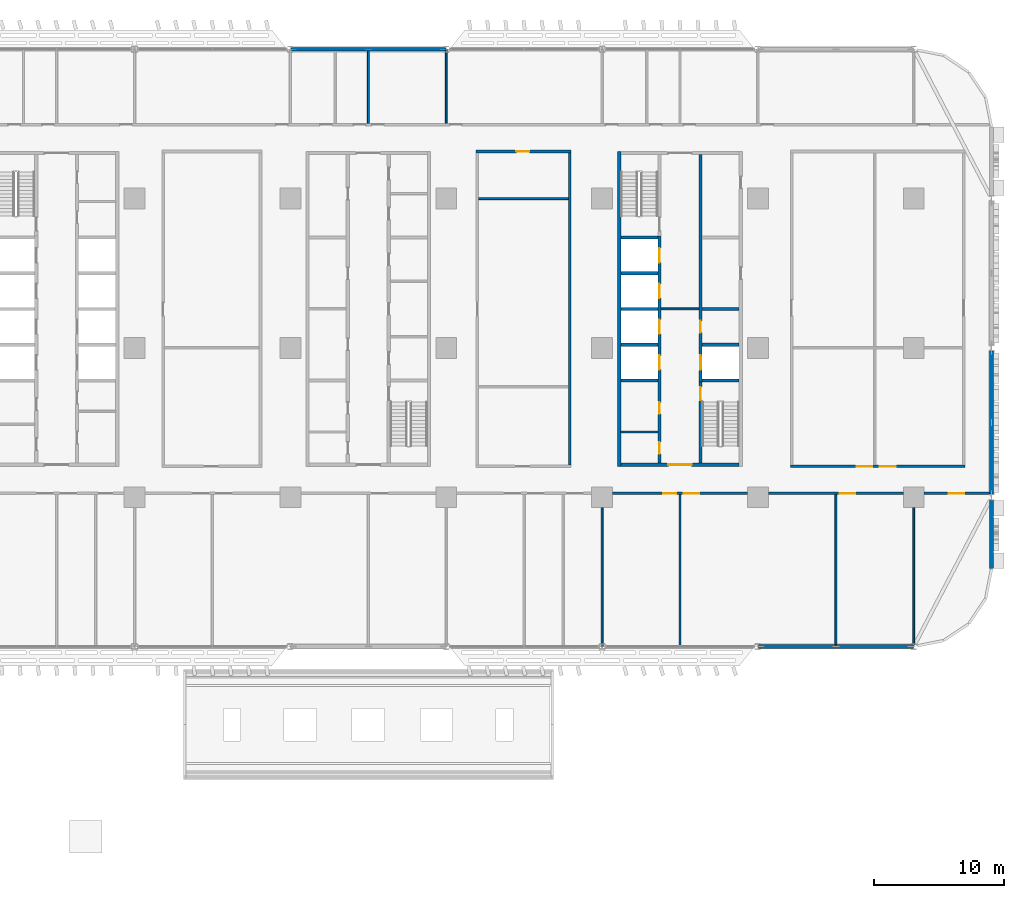
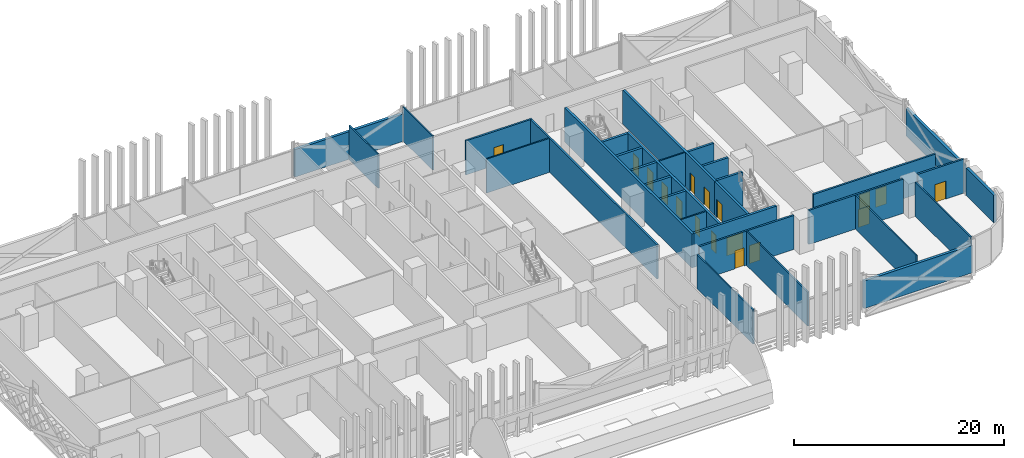
# One storey, part 14 of 31: 32 walls, 17 doors, 17 openings.
"""IFC4 building model written with IfcOpenShell, lengths in metres."""

from ifc_helpers import new_model, si_unit, direction, frame, frame_2d, origin, place, context, subcontext, project, spatial, rectangle, extrude, material, layer, layer_set, type_object, element, fill, save


model = new_model("IFC4")

# Units and contexts
model_context = context("Model", 3, precision=1e-05, world=origin(), true_north=direction((0.0, 1.0)))
body_context = subcontext(model_context, "Body", "Model", "MODEL_VIEW")
ifc_project = project(units=[si_unit("LENGTHUNIT", "METRE"), si_unit("AREAUNIT", "SQUARE_METRE"), si_unit("VOLUMEUNIT", "CUBIC_METRE"), si_unit("PLANEANGLEUNIT", "RADIAN"), si_unit("MASSUNIT", "GRAM", prefix="KILO")], contexts=[model_context])

# Site, building, storey
site_placement = place(None, origin())
site = spatial("IfcSite", under=ifc_project, at=site_placement, CompositionType="ELEMENT")
building_placement = place(site_placement, origin())
building = spatial("IfcBuilding", under=site, at=building_placement, Name="Mahtab Terrace Research Tower", CompositionType="ELEMENT")
storey_placement = place(building_placement, frame((0.0, 0.0, 11.5)))
storey = spatial("IfcBuildingStorey", under=building, at=storey_placement, Name="L02", CompositionType="ELEMENT", Elevation=11.5)

# Walls
ifc_material_1 = material(Name="Gypsum board partition")
ifc_layer_1 = layer(ifc_material_1, 0.14990234375)
ifc_layer_set_1 = layer_set([ifc_layer_1], Name="Core partition 150")
wall_type_1 = type_object("IfcWallType", Name="Core partition 150", PredefinedType="PARTITIONING", material=ifc_layer_set_1)
wall_1_placement = place(storey_placement, frame((22.550048828125, 3.0, 0.0), z_axis=(0.0, 0.0, 1.0), x_axis=(1.0, 0.0, 0.0)))
element("IfcWall", 1, at=wall_1_placement, inside=storey, type_object=wall_type_1, Name="Core wall C ffl", PredefinedType="PARTITIONING", context=body_context, shape_type="SweptSolid", body=[
    extrude(rectangle(XDim=2.89990234375, YDim=0.14990234375, at=frame_2d((1.449951171875, 0.0))), origin(), (0.0, 0.0, 1.0), 3.9599609375),
])
wall_2_placement = place(storey_placement, frame((19.449951171875, -6.47509765625, 0.0), z_axis=(0.0, 0.0, 1.0), x_axis=(1.0, 0.0, 0.0)))
element("IfcWall", 2, at=wall_2_placement, inside=storey, type_object=wall_type_1, Name="Core wall C pWS-948", PredefinedType="PARTITIONING", context=body_context, shape_type="SweptSolid", body=[
    extrude(rectangle(XDim=2.85009765625, YDim=0.14990234375, at=frame_2d((1.425048828125, 0.0))), origin(), (0.0, 0.0, 1.0), 3.9599609375),
])
ifc_material_2 = material(Name="Concrete C70/85", Category="concrete")
ifc_layer_2 = layer(ifc_material_2, 0.25)
ifc_layer_set_2 = layer_set([ifc_layer_2], Name="Core wall 250")
wall_type_2 = type_object("IfcWallType", Name="Core wall 250", PredefinedType="SOLIDWALL", material=ifc_layer_set_2)
wall_3_placement = place(storey_placement, frame((19.324951171875, 15.125, 0.0), z_axis=(0.0, 0.0, 1.0), x_axis=(0.0, -1.0, 0.0)))
element("IfcWall", 3, at=wall_3_placement, inside=storey, type_object=wall_type_2, Name="Core wall C outerW", PredefinedType="SOLIDWALL", context=body_context, shape_type="SweptSolid", body=[
    extrude(rectangle(XDim=24.25, YDim=0.25, at=frame_2d((12.125, 0.0))), origin(), (0.0, 0.0, 1.0), 3.9599609375),
])

# Wall, opening, door
wall_4_placement = place(storey_placement, frame((28.550048828125, -9.0, 0.0), z_axis=(0.0, 0.0, 1.0), x_axis=(-1.0, 0.0, 0.0)))
wall_4 = element("IfcWall", 4, at=wall_4_placement, inside=storey, type_object=wall_type_2, Name="Core wall C endS", PredefinedType="SOLIDWALL", context=body_context, shape_type="SweptSolid", body=[
    extrude(rectangle(XDim=9.10009765625, YDim=0.25, at=frame_2d((4.550048828125, 0.0))), origin(), (0.0, 0.0, 1.0), 3.9599609375),
])
opening_1_placement = place(wall_4_placement, frame((3.64990234375, 0.0, 0.0)))
opening_1 = element("IfcOpeningElement", 5, at=opening_1_placement, cuts=wall_4, Name="Opening C-S1", PredefinedType="OPENING", context=body_context, shape_type="SweptSolid", body=[
    extrude(rectangle(XDim=1.800048828125, YDim=2.10009765625, at=frame_2d((0.89990234375, 1.050048828125))), frame((0.0, 0.135009765625, 0.0), z_axis=(0.0, -1.0, 0.0), x_axis=(1.0, 0.0, 0.0)), (0.0, 0.0, 1.0), 0.27001953125),
])
ifc_material_3 = material(Name="Steel fire door", Category="steel")
door_type_1 = type_object("IfcDoorType", Name="Lobby double door 1800x2100 1 HR", OperationType="DOUBLE_DOOR_SINGLE_SWING", PredefinedType="DOOR", material=ifc_material_3)
door_1_placement = place(opening_1_placement, origin())
door_1 = element("IfcDoor", 6, at=door_1_placement, inside=storey, type_object=door_type_1, Name="Core entrance door C S", OperationType="DOUBLE_DOOR_SINGLE_SWING", OverallHeight=2.10009765625, OverallWidth=1.800048828125, PredefinedType="DOOR", context=body_context, shape_type="SweptSolid", body=[
    extrude(rectangle(XDim=1.800048828125, YDim=2.10009765625, at=frame_2d((0.89990234375, 1.050048828125))), frame((0.0, 0.02490234375, 0.0), z_axis=(0.0, -1.0, 0.0), x_axis=(1.0, 0.0, 0.0)), (0.0, 0.0, 1.0), 0.050048828125),
])
fill(opening_1, door_1)

# Wall, openings, doors
wall_5_placement = place(storey_placement, frame((22.425048828125, -8.875, 0.0), z_axis=(0.0, 0.0, 1.0), x_axis=(0.0, 1.0, 0.0)))
wall_5 = element("IfcWall", 7, at=wall_5_placement, inside=storey, type_object=wall_type_2, Name="Core wall C innerWSL", PredefinedType="SOLIDWALL", context=body_context, shape_type="SweptSolid", body=[
    extrude(rectangle(XDim=17.5, YDim=0.25, at=frame_2d((8.75, 0.0))), origin(), (0.0, 0.0, 1.0), 3.9599609375),
])
opening_2_placement = place(wall_5_placement, frame((7.199951171875, 0.0, 0.0)))
opening_2 = element("IfcOpeningElement", 8, at=opening_2_placement, cuts=wall_5, Name="Opening LD17-L02", PredefinedType="OPENING", context=body_context, shape_type="SweptSolid", body=[
    extrude(rectangle(XDim=1.10009765625, YDim=2.10009765625, at=frame_2d((0.550048828125, 1.050048828125))), frame((0.0, 0.135009765625, 0.0), z_axis=(0.0, -1.0, 0.0), x_axis=(1.0, 0.0, 0.0)), (0.0, 0.0, 1.0), 0.27001953125),
])
opening_3_placement = place(wall_5_placement, frame((9.949951171875, 0.0, 0.0)))
opening_3 = element("IfcOpeningElement", 9, at=opening_3_placement, cuts=wall_5, Name="Opening LD18-L02", PredefinedType="OPENING", context=body_context, shape_type="SweptSolid", body=[
    extrude(rectangle(XDim=1.10009765625, YDim=2.10009765625, at=frame_2d((0.550048828125, 1.050048828125))), frame((0.0, 0.135009765625, 0.0), z_axis=(0.0, -1.0, 0.0), x_axis=(1.0, 0.0, 0.0)), (0.0, 0.0, 1.0), 0.27001953125),
])
opening_4_placement = place(wall_5_placement, frame((12.699951171875, 0.0, 0.0)))
opening_4 = element("IfcOpeningElement", 10, at=opening_4_placement, cuts=wall_5, Name="Opening LD19-L02", PredefinedType="OPENING", context=body_context, shape_type="SweptSolid", body=[
    extrude(rectangle(XDim=1.10009765625, YDim=2.10009765625, at=frame_2d((0.550048828125, 1.050048828125))), frame((0.0, 0.135009765625, 0.0), z_axis=(0.0, -1.0, 0.0), x_axis=(1.0, 0.0, 0.0)), (0.0, 0.0, 1.0), 0.27001953125),
])
opening_5_placement = place(wall_5_placement, frame((15.449951171875, 0.0, 0.0)))
opening_5 = element("IfcOpeningElement", 11, at=opening_5_placement, cuts=wall_5, Name="Opening LD20-L02", PredefinedType="OPENING", context=body_context, shape_type="SweptSolid", body=[
    extrude(rectangle(XDim=1.10009765625, YDim=2.10009765625, at=frame_2d((0.550048828125, 1.050048828125))), frame((0.0, 0.135009765625, 0.0), z_axis=(0.0, -1.0, 0.0), x_axis=(1.0, 0.0, 0.0)), (0.0, 0.0, 1.0), 0.27001953125),
])
opening_6_placement = place(wall_5_placement, frame((0.71240234375, 0.0, 0.0)))
opening_6 = element("IfcOpeningElement", 12, at=opening_6_placement, cuts=wall_5, Name="Opening C-R3", PredefinedType="OPENING", context=body_context, shape_type="SweptSolid", body=[
    extrude(rectangle(XDim=0.89990234375, YDim=2.10009765625, at=frame_2d((0.449951171875, 1.050048828125))), frame((0.0, 0.135009765625, 0.0), z_axis=(0.0, -1.0, 0.0), x_axis=(1.0, 0.0, 0.0)), (0.0, 0.0, 1.0), 0.27001953125),
])
opening_7_placement = place(wall_5_placement, frame((3.78759765625, 0.0, 0.0)))
opening_7 = element("IfcOpeningElement", 13, at=opening_7_placement, cuts=wall_5, Name="Opening C-R4", PredefinedType="OPENING", context=body_context, shape_type="SweptSolid", body=[
    extrude(rectangle(XDim=0.89990234375, YDim=2.10009765625, at=frame_2d((0.449951171875, 1.050048828125))), frame((0.0, 0.135009765625, 0.0), z_axis=(0.0, -1.0, 0.0), x_axis=(1.0, 0.0, 0.0)), (0.0, 0.0, 1.0), 0.27001953125),
])
ifc_material_4 = material(Name="Stainless steel AISI 304", Category="steel")
door_type_2 = type_object("IfcDoorType", Name="Landing door 1100x2100", OperationType="DOUBLE_DOOR_SLIDING", PredefinedType="DOOR", material=ifc_material_4)
door_2_placement = place(opening_2_placement, origin())
door_2 = element("IfcDoor", 14, at=door_2_placement, inside=storey, type_object=door_type_2, Name="Landing door SV1 L02", OperationType="DOUBLE_DOOR_SLIDING", OverallHeight=2.10009765625, OverallWidth=1.10009765625, PredefinedType="DOOR", context=body_context, shape_type="SweptSolid", body=[
    extrude(rectangle(XDim=1.10009765625, YDim=2.10009765625, at=frame_2d((0.550048828125, 1.050048828125))), frame((0.0, 0.02490234375, 0.0), z_axis=(0.0, -1.0, 0.0), x_axis=(1.0, 0.0, 0.0)), (0.0, 0.0, 1.0), 0.050048828125),
])
fill(opening_2, door_2)
door_3_placement = place(opening_3_placement, origin())
door_3 = element("IfcDoor", 15, at=door_3_placement, inside=storey, type_object=door_type_2, Name="Landing door SV2 L02", OperationType="DOUBLE_DOOR_SLIDING", OverallHeight=2.10009765625, OverallWidth=1.10009765625, PredefinedType="DOOR", context=body_context, shape_type="SweptSolid", body=[
    extrude(rectangle(XDim=1.10009765625, YDim=2.10009765625, at=frame_2d((0.550048828125, 1.050048828125))), frame((0.0, 0.02490234375, 0.0), z_axis=(0.0, -1.0, 0.0), x_axis=(1.0, 0.0, 0.0)), (0.0, 0.0, 1.0), 0.050048828125),
])
fill(opening_3, door_3)
door_4_placement = place(opening_4_placement, origin())
door_4 = element("IfcDoor", 16, at=door_4_placement, inside=storey, type_object=door_type_2, Name="Landing door FF1 L02", OperationType="DOUBLE_DOOR_SLIDING", OverallHeight=2.10009765625, OverallWidth=1.10009765625, PredefinedType="DOOR", context=body_context, shape_type="SweptSolid", body=[
    extrude(rectangle(XDim=1.10009765625, YDim=2.10009765625, at=frame_2d((0.550048828125, 1.050048828125))), frame((0.0, 0.02490234375, 0.0), z_axis=(0.0, -1.0, 0.0), x_axis=(1.0, 0.0, 0.0)), (0.0, 0.0, 1.0), 0.050048828125),
])
fill(opening_4, door_4)
door_5_placement = place(opening_5_placement, origin())
door_5 = element("IfcDoor", 17, at=door_5_placement, inside=storey, type_object=door_type_2, Name="Landing door FF2 L02", OperationType="DOUBLE_DOOR_SLIDING", OverallHeight=2.10009765625, OverallWidth=1.10009765625, PredefinedType="DOOR", context=body_context, shape_type="SweptSolid", body=[
    extrude(rectangle(XDim=1.10009765625, YDim=2.10009765625, at=frame_2d((0.550048828125, 1.050048828125))), frame((0.0, 0.02490234375, 0.0), z_axis=(0.0, -1.0, 0.0), x_axis=(1.0, 0.0, 0.0)), (0.0, 0.0, 1.0), 0.050048828125),
])
fill(opening_5, door_5)
door_type_3 = type_object("IfcDoorType", Name="Room door 900x2100 1 HR", OperationType="NOTDEFINED", PredefinedType="DOOR", material=ifc_material_3)
door_6_placement = place(opening_6_placement, origin())
door_6 = element("IfcDoor", 18, at=door_6_placement, inside=storey, type_object=door_type_3, Name="Accessible WC door", OperationType="SINGLE_SWING_LEFT", OverallHeight=2.10009765625, OverallWidth=0.89990234375, PredefinedType="DOOR", context=body_context, shape_type="SweptSolid", body=[
    extrude(rectangle(XDim=0.89990234375, YDim=2.10009765625, at=frame_2d((0.449951171875, 1.050048828125))), frame((0.0, 0.02490234375, 0.0), z_axis=(0.0, -1.0, 0.0), x_axis=(1.0, 0.0, 0.0)), (0.0, 0.0, 1.0), 0.050048828125),
])
fill(opening_6, door_6)
door_7_placement = place(opening_7_placement, origin())
door_7 = element("IfcDoor", 19, at=door_7_placement, inside=storey, type_object=door_type_3, Name="WC block door", OperationType="SINGLE_SWING_RIGHT", OverallHeight=2.10009765625, OverallWidth=0.89990234375, PredefinedType="DOOR", context=body_context, shape_type="SweptSolid", body=[
    extrude(rectangle(XDim=0.89990234375, YDim=2.10009765625, at=frame_2d((0.449951171875, 1.050048828125))), frame((0.0, 0.02490234375, 0.0), z_axis=(0.0, -1.0, 0.0), x_axis=(1.0, 0.0, 0.0)), (0.0, 0.0, 1.0), 0.050048828125),
])
fill(opening_7, door_7)

# Wall, opening, door
wall_6_placement = place(storey_placement, frame((25.574951171875, -8.875, 0.0), z_axis=(0.0, 0.0, 1.0), x_axis=(0.0, 1.0, 0.0)))
wall_6 = element("IfcWall", 20, at=wall_6_placement, inside=storey, type_object=wall_type_2, Name="Core wall C innerES", PredefinedType="SOLIDWALL", context=body_context, shape_type="SweptSolid", body=[
    extrude(rectangle(XDim=6.25, YDim=0.25, at=frame_2d((3.125, 0.0))), origin(), (0.0, 0.0, 1.0), 3.9599609375),
])
opening_8_placement = place(wall_6_placement, frame((4.85009765625, 0.0, 0.0)))
opening_8 = element("IfcOpeningElement", 21, at=opening_8_placement, cuts=wall_6, Name="Opening C-ST4", PredefinedType="OPENING", context=body_context, shape_type="SweptSolid", body=[
    extrude(rectangle(XDim=1.0, YDim=2.10009765625, at=frame_2d((0.5, 1.050048828125))), frame((0.0, 0.135009765625, 0.0), z_axis=(0.0, -1.0, 0.0), x_axis=(1.0, 0.0, 0.0)), (0.0, 0.0, 1.0), 0.27001953125),
])
door_type_4 = type_object("IfcDoorType", Name="Stair door 1000x2100 1.5 HR", OperationType="NOTDEFINED", PredefinedType="DOOR", material=ifc_material_3)
door_8_placement = place(opening_8_placement, origin())
door_8 = element("IfcDoor", 22, at=door_8_placement, inside=storey, type_object=door_type_4, Name="Stair door ST4 L02", OperationType="SINGLE_SWING_LEFT", OverallHeight=2.10009765625, OverallWidth=1.0, PredefinedType="DOOR", context=body_context, shape_type="SweptSolid", body=[
    extrude(rectangle(XDim=1.0, YDim=2.10009765625, at=frame_2d((0.5, 1.050048828125))), frame((0.0, 0.02490234375, 0.0), z_axis=(0.0, -1.0, 0.0), x_axis=(1.0, 0.0, 0.0)), (0.0, 0.0, 1.0), 0.050048828125),
])
fill(opening_8, door_8)

# Wall, openings, doors
wall_7_placement = place(storey_placement, frame((25.574951171875, 14.875, 0.0), z_axis=(0.0, 0.0, 1.0), x_axis=(0.0, -1.0, 0.0)))
wall_7 = element("IfcWall", 23, at=wall_7_placement, inside=storey, type_object=wall_type_2, Name="Core wall C innerELN", PredefinedType="SOLIDWALL", context=body_context, shape_type="SweptSolid", body=[
    extrude(rectangle(XDim=17.5, YDim=0.25, at=frame_2d((8.75, 0.0))), origin(), (0.0, 0.0, 1.0), 3.9599609375),
])
opening_9_placement = place(wall_7_placement, frame((15.449951171875, 0.0, 0.0)))
opening_9 = element("IfcOpeningElement", 24, at=opening_9_placement, cuts=wall_7, Name="Opening LD21-L02", PredefinedType="OPENING", context=body_context, shape_type="SweptSolid", body=[
    extrude(rectangle(XDim=1.10009765625, YDim=2.10009765625, at=frame_2d((0.550048828125, 1.050048828125))), frame((0.0, 0.135009765625, 0.0), z_axis=(0.0, -1.0, 0.0), x_axis=(1.0, 0.0, 0.0)), (0.0, 0.0, 1.0), 0.27001953125),
])
opening_10_placement = place(wall_7_placement, frame((12.800048828125, 0.0, 0.0)))
opening_10 = element("IfcOpeningElement", 25, at=opening_10_placement, cuts=wall_7, Name="Opening C-R1", PredefinedType="OPENING", context=body_context, shape_type="SweptSolid", body=[
    extrude(rectangle(XDim=0.89990234375, YDim=2.10009765625, at=frame_2d((0.449951171875, 1.050048828125))), frame((0.0, 0.135009765625, 0.0), z_axis=(0.0, -1.0, 0.0), x_axis=(1.0, 0.0, 0.0)), (0.0, 0.0, 1.0), 0.27001953125),
])
door_9_placement = place(opening_9_placement, origin())
door_9 = element("IfcDoor", 26, at=door_9_placement, inside=storey, type_object=door_type_2, Name="Landing door SV3 L02", OperationType="DOUBLE_DOOR_SLIDING", OverallHeight=2.10009765625, OverallWidth=1.10009765625, PredefinedType="DOOR", context=body_context, shape_type="SweptSolid", body=[
    extrude(rectangle(XDim=1.10009765625, YDim=2.10009765625, at=frame_2d((0.550048828125, 1.050048828125))), frame((0.0, 0.02490234375, 0.0), z_axis=(0.0, -1.0, 0.0), x_axis=(1.0, 0.0, 0.0)), (0.0, 0.0, 1.0), 0.050048828125),
])
fill(opening_9, door_9)
door_10_placement = place(opening_10_placement, origin())
door_10 = element("IfcDoor", 27, at=door_10_placement, inside=storey, type_object=door_type_3, Name="Plant room door", OperationType="SINGLE_SWING_LEFT", OverallHeight=2.10009765625, OverallWidth=0.89990234375, PredefinedType="DOOR", context=body_context, shape_type="SweptSolid", body=[
    extrude(rectangle(XDim=0.89990234375, YDim=2.10009765625, at=frame_2d((0.449951171875, 1.050048828125))), frame((0.0, 0.02490234375, 0.0), z_axis=(0.0, -1.0, 0.0), x_axis=(1.0, 0.0, 0.0)), (0.0, 0.0, 1.0), 0.050048828125),
])
fill(opening_10, door_10)

# Walls
for number, where, z_axis, x_axis, name in (
    (28, (19.449951171875, -2.5, 0.0), (0.0, 0.0, 1.0), (1.0, 0.0, 0.0), "Core wall C divW0"),
    (29, (19.449951171875, 0.25, 0.0), (0.0, 0.0, 1.0), (1.0, 0.0, 0.0), "Core wall C divW1"),
    (30, (19.449951171875, 3.0, 0.0), (0.0, 0.0, 1.0), (1.0, 0.0, 0.0), "Core wall C divW2"),
    (31, (19.449951171875, 5.75, 0.0), (0.0, 0.0, 1.0), (1.0, 0.0, 0.0), "Core wall C divW3"),
    (32, (19.449951171875, 8.5, 0.0), (0.0, 0.0, 1.0), (1.0, 0.0, 0.0), "Core wall C divW4"),
    (33, (25.699951171875, -2.5, 0.0), (0.0, 0.0, 1.0), (1.0, 0.0, 0.0), "Core wall C divE0"),
    (34, (25.699951171875, 0.25, 0.0), (0.0, 0.0, 1.0), (1.0, 0.0, 0.0), "Core wall C divE1"),
    (35, (25.699951171875, 3.0, 0.0), (0.0, 0.0, 1.0), (1.0, 0.0, 0.0), "Core wall C divE2"),
):
    element("IfcWall", number, at=place(storey_placement, frame(where, z_axis=z_axis, x_axis=x_axis)), inside=storey, type_object=wall_type_2, Name=name, PredefinedType="SOLIDWALL", context=body_context, shape_type="SweptSolid", body=[
        extrude(rectangle(XDim=2.85009765625, YDim=0.25, at=frame_2d((1.425048828125, 0.0))), origin(), (0.0, 0.0, 1.0), 3.9599609375),
    ])
ifc_material_5 = material(Name="Black aluminium cladding panel", Category="aluminium")
ifc_layer_3 = layer(ifc_material_5, 0.300048828125)
ifc_layer_set_3 = layer_set([ifc_layer_3], Name="Opaque facade wall 300")
wall_type_3 = type_object("IfcWallType", Name="Opaque facade wall 300", PredefinedType="NOTDEFINED", material=ifc_layer_set_3)
for number, where, z_axis, x_axis, name in (
    (36, (5.97216796875, 23.0, 0.0), (0.0, 0.0, 1.0), (-1.0, 0.0, 0.0), "Opaque facade wall L02 N6"),
    (37, (30.02783203125, -23.0, 0.0), (0.0, 0.0, 1.0), (1.0, 0.0, 0.0), "Opaque facade wall L02 S28"),
):
    element("IfcWall", number, at=place(storey_placement, frame(where, z_axis=z_axis, x_axis=x_axis)), inside=storey, type_object=wall_type_3, Name=name, PredefinedType="NOTDEFINED", context=body_context, shape_type="SweptSolid", body=[
        extrude(rectangle(XDim=11.9443359375, YDim=0.300048828125, at=frame_2d((5.97216796875, 0.0))), origin(), (0.0, 0.0, 1.0), 3.203125),
    ])
wall_8_placement = place(storey_placement, frame((48.0, -17.0, 0.0), z_axis=(0.0, 0.0, 1.0), x_axis=(0.0, 1.0, 0.0)))
element("IfcWall", 38, at=wall_8_placement, inside=storey, type_object=wall_type_3, Name="Opaque facade wall L02 E33", PredefinedType="NOTDEFINED", context=body_context, shape_type="SweptSolid", body=[
    extrude(rectangle(XDim=5.2509765625, YDim=0.300048828125, at=frame_2d((2.62548828125, 0.0))), origin(), (0.0, 0.0, 1.0), 3.203125),
])
wall_9_placement = place(storey_placement, frame((48.0, -11.2509765625, 0.0), z_axis=(0.0, 0.0, 1.0), x_axis=(0.0, 1.0, 0.0)))
element("IfcWall", 39, at=wall_9_placement, inside=storey, type_object=wall_type_3, Name="Opaque facade wall L02 E34", PredefinedType="NOTDEFINED", context=body_context, shape_type="SweptSolid", body=[
    extrude(rectangle(XDim=11.001953125, YDim=0.300048828125, at=frame_2d((5.5009765625, 0.0))), origin(), (0.0, 0.0, 1.0), 3.203125),
])

# Wall, openings, doors
ifc_material_6 = material(Name="Gypsum board corridor wall on steel studs", Category="steel")
ifc_layer_4 = layer(ifc_material_6, 0.199951171875)
ifc_layer_set_4 = layer_set([ifc_layer_4], Name="WALL CORRIDOR 200")
wall_type_4 = type_object("IfcWallType", Name="WALL CORRIDOR 200", PredefinedType="PARTITIONING", material=ifc_layer_set_4)
wall_10_placement = place(storey_placement, frame((18.800048828125, -11.199951171875, 0.0), z_axis=(0.0, 0.0, 1.0), x_axis=(1.0, 0.0, 0.0)))
wall_10 = element("IfcWall", 40, at=wall_10_placement, inside=storey, type_object=wall_type_4, Name="L02-W007", PredefinedType="PARTITIONING", context=body_context, shape_type="SweptSolid", body=[
    extrude(rectangle(XDim=10.39990234375, YDim=0.199951171875, at=frame_2d((5.199951171875, 0.0))), origin(), (0.0, 0.0, 1.0), 3.9599609375),
])
opening_11_placement = place(wall_10_placement, frame((3.89990234375, 0.0, 0.0)))
opening_11 = element("IfcOpeningElement", 41, at=opening_11_placement, cuts=wall_10, Name="Opening L02-112", PredefinedType="OPENING", context=body_context, shape_type="SweptSolid", body=[
    extrude(rectangle(XDim=1.0, YDim=2.10009765625, at=frame_2d((0.5, 1.050048828125))), frame((0.0, 0.10986328125, 0.0), z_axis=(0.0, -1.0, 0.0), x_axis=(1.0, 0.0, 0.0)), (0.0, 0.0, 1.0), 0.219970703125),
])
opening_12_placement = place(wall_10_placement, frame((5.5, 0.0, 0.0)))
opening_12 = element("IfcOpeningElement", 42, at=opening_12_placement, cuts=wall_10, Name="Opening L02-113", PredefinedType="OPENING", context=body_context, shape_type="SweptSolid", body=[
    extrude(rectangle(XDim=1.199951171875, YDim=2.10009765625, at=frame_2d((0.60009765625, 1.050048828125))), frame((0.0, 0.10986328125, 0.0), z_axis=(0.0, -1.0, 0.0), x_axis=(1.0, 0.0, 0.0)), (0.0, 0.0, 1.0), 0.219970703125),
])
ifc_material_7 = material(Name="Timber door leaf in steel frame", Category="steel")
door_type_5 = type_object("IfcDoorType", Name="DOOR 1000X2100 FD30S", OperationType="SINGLE_SWING_LEFT", PredefinedType="DOOR", material=ifc_material_7)
door_11_placement = place(opening_11_placement, origin())
door_11 = element("IfcDoor", 43, at=door_11_placement, inside=storey, type_object=door_type_5, Name="Door L02-112", OperationType="SINGLE_SWING_RIGHT", OverallHeight=2.10009765625, OverallWidth=1.0, PredefinedType="DOOR", context=body_context, shape_type="SweptSolid", body=[
    extrude(rectangle(XDim=1.0, YDim=2.10009765625, at=frame_2d((0.5, 1.050048828125))), frame((0.0, 0.02490234375, 0.0), z_axis=(0.0, -1.0, 0.0), x_axis=(1.0, 0.0, 0.0)), (0.0, 0.0, 1.0), 0.050048828125),
])
fill(opening_11, door_11)
door_type_6 = type_object("IfcDoorType", Name="DOOR 1200X2100 FD30S", OperationType="SINGLE_SWING_LEFT", PredefinedType="DOOR", material=ifc_material_7)
door_12_placement = place(opening_12_placement, origin())
door_12 = element("IfcDoor", 44, at=door_12_placement, inside=storey, type_object=door_type_6, Name="Door L02-113", OperationType="SINGLE_SWING_LEFT", OverallHeight=2.10009765625, OverallWidth=1.199951171875, PredefinedType="DOOR", context=body_context, shape_type="SweptSolid", body=[
    extrude(rectangle(XDim=1.199951171875, YDim=2.10009765625, at=frame_2d((0.60009765625, 1.050048828125))), frame((0.0, 0.02490234375, 0.0), z_axis=(0.0, -1.0, 0.0), x_axis=(1.0, 0.0, 0.0)), (0.0, 0.0, 1.0), 0.050048828125),
])
fill(opening_12, door_12)

# Wall, opening, door
wall_11_placement = place(storey_placement, frame((30.800048828125, -11.199951171875, 0.0), z_axis=(0.0, 0.0, 1.0), x_axis=(1.0, 0.0, 0.0)))
wall_11 = element("IfcWall", 45, at=wall_11_placement, inside=storey, type_object=wall_type_4, Name="L02-W008", PredefinedType="PARTITIONING", context=body_context, shape_type="SweptSolid", body=[
    extrude(rectangle(XDim=10.39990234375, YDim=0.199951171875, at=frame_2d((5.199951171875, 0.0))), origin(), (0.0, 0.0, 1.0), 3.9599609375),
])
opening_13_placement = place(wall_11_placement, frame((5.5, 0.0, 0.0)))
opening_13 = element("IfcOpeningElement", 46, at=opening_13_placement, cuts=wall_11, Name="Opening L02-114", PredefinedType="OPENING", context=body_context, shape_type="SweptSolid", body=[
    extrude(rectangle(XDim=1.199951171875, YDim=2.10009765625, at=frame_2d((0.60009765625, 1.050048828125))), frame((0.0, 0.10986328125, 0.0), z_axis=(0.0, -1.0, 0.0), x_axis=(1.0, 0.0, 0.0)), (0.0, 0.0, 1.0), 0.219970703125),
])
door_13_placement = place(opening_13_placement, origin())
door_13 = element("IfcDoor", 47, at=door_13_placement, inside=storey, type_object=door_type_6, Name="Door L02-114", OperationType="SINGLE_SWING_LEFT", OverallHeight=2.10009765625, OverallWidth=1.199951171875, PredefinedType="DOOR", context=body_context, shape_type="SweptSolid", body=[
    extrude(rectangle(XDim=1.199951171875, YDim=2.10009765625, at=frame_2d((0.60009765625, 1.050048828125))), frame((0.0, 0.02490234375, 0.0), z_axis=(0.0, -1.0, 0.0), x_axis=(1.0, 0.0, 0.0)), (0.0, 0.0, 1.0), 0.050048828125),
])
fill(opening_13, door_13)

wall_12_placement = place(storey_placement, frame((42.800048828125, -11.199951171875, 0.0), z_axis=(0.0, 0.0, 1.0), x_axis=(1.0, 0.0, 0.0)))
wall_12 = element("IfcWall", 48, at=wall_12_placement, inside=storey, type_object=wall_type_4, Name="L02-W009", PredefinedType="PARTITIONING", context=body_context, shape_type="SweptSolid", body=[
    extrude(rectangle(XDim=5.050048828125, YDim=0.199951171875, at=frame_2d((2.52490234375, 0.0))), origin(), (0.0, 0.0, 1.0), 3.9599609375),
])
opening_14_placement = place(wall_12_placement, frame((1.89990234375, 0.0, 0.0)))
opening_14 = element("IfcOpeningElement", 49, at=opening_14_placement, cuts=wall_12, Name="Opening L02-115", PredefinedType="OPENING", context=body_context, shape_type="SweptSolid", body=[
    extrude(rectangle(XDim=1.199951171875, YDim=2.10009765625, at=frame_2d((0.60009765625, 1.050048828125))), frame((0.0, 0.10986328125, 0.0), z_axis=(0.0, -1.0, 0.0), x_axis=(1.0, 0.0, 0.0)), (0.0, 0.0, 1.0), 0.219970703125),
])
door_14_placement = place(opening_14_placement, origin())
door_14 = element("IfcDoor", 50, at=door_14_placement, inside=storey, type_object=door_type_6, Name="Door L02-115", OperationType="SINGLE_SWING_RIGHT", OverallHeight=2.10009765625, OverallWidth=1.199951171875, PredefinedType="DOOR", context=body_context, shape_type="SweptSolid", body=[
    extrude(rectangle(XDim=1.199951171875, YDim=2.10009765625, at=frame_2d((0.60009765625, 1.050048828125))), frame((0.0, 0.02490234375, 0.0), z_axis=(0.0, -1.0, 0.0), x_axis=(1.0, 0.0, 0.0)), (0.0, 0.0, 1.0), 0.050048828125),
])
fill(opening_14, door_14)

# Wall, openings, doors
wall_13_placement = place(storey_placement, frame((32.5, -9.125, 0.0), z_axis=(0.0, 0.0, 1.0), x_axis=(1.0, 0.0, 0.0)))
wall_13 = element("IfcWall", 51, at=wall_13_placement, inside=storey, type_object=wall_type_4, Name="L02-W013", PredefinedType="PARTITIONING", context=body_context, shape_type="SweptSolid", body=[
    extrude(rectangle(XDim=13.449951171875, YDim=0.199951171875, at=frame_2d((6.72509765625, 0.0))), origin(), (0.0, 0.0, 1.0), 3.9599609375),
])
opening_15_placement = place(wall_13_placement, frame((5.10009765625, 0.0, 0.0)))
opening_15 = element("IfcOpeningElement", 52, at=opening_15_placement, cuts=wall_13, Name="Opening L02-120", PredefinedType="OPENING", context=body_context, shape_type="SweptSolid", body=[
    extrude(rectangle(XDim=1.199951171875, YDim=2.10009765625, at=frame_2d((0.60009765625, 1.050048828125))), frame((0.0, 0.10986328125, 0.0), z_axis=(0.0, -1.0, 0.0), x_axis=(1.0, 0.0, 0.0)), (0.0, 0.0, 1.0), 0.219970703125),
])
opening_16_placement = place(wall_13_placement, frame((6.89990234375, 0.0, 0.0)))
opening_16 = element("IfcOpeningElement", 53, at=opening_16_placement, cuts=wall_13, Name="Opening L02-121", PredefinedType="OPENING", context=body_context, shape_type="SweptSolid", body=[
    extrude(rectangle(XDim=1.199951171875, YDim=2.10009765625, at=frame_2d((0.60009765625, 1.050048828125))), frame((0.0, 0.10986328125, 0.0), z_axis=(0.0, -1.0, 0.0), x_axis=(1.0, 0.0, 0.0)), (0.0, 0.0, 1.0), 0.219970703125),
])
door_15_placement = place(opening_15_placement, origin())
door_15 = element("IfcDoor", 54, at=door_15_placement, inside=storey, type_object=door_type_6, Name="Door L02-120", OperationType="SINGLE_SWING_LEFT", OverallHeight=2.10009765625, OverallWidth=1.199951171875, PredefinedType="DOOR", context=body_context, shape_type="SweptSolid", body=[
    extrude(rectangle(XDim=1.199951171875, YDim=2.10009765625, at=frame_2d((0.60009765625, 1.050048828125))), frame((0.0, 0.02490234375, 0.0), z_axis=(0.0, -1.0, 0.0), x_axis=(1.0, 0.0, 0.0)), (0.0, 0.0, 1.0), 0.050048828125),
])
fill(opening_15, door_15)
door_16_placement = place(opening_16_placement, origin())
door_16 = element("IfcDoor", 55, at=door_16_placement, inside=storey, type_object=door_type_6, Name="Door L02-121", OperationType="SINGLE_SWING_RIGHT", OverallHeight=2.10009765625, OverallWidth=1.199951171875, PredefinedType="DOOR", context=body_context, shape_type="SweptSolid", body=[
    extrude(rectangle(XDim=1.199951171875, YDim=2.10009765625, at=frame_2d((0.60009765625, 1.050048828125))), frame((0.0, 0.02490234375, 0.0), z_axis=(0.0, -1.0, 0.0), x_axis=(1.0, 0.0, 0.0)), (0.0, 0.0, 1.0), 0.050048828125),
])
fill(opening_16, door_16)

# Wall, opening, door
wall_14_placement = place(storey_placement, frame((8.300048828125, 15.125, 0.0), z_axis=(0.0, 0.0, 1.0), x_axis=(1.0, 0.0, 0.0)))
wall_14 = element("IfcWall", 56, at=wall_14_placement, inside=storey, type_object=wall_type_4, Name="L02-W024", PredefinedType="PARTITIONING", context=body_context, shape_type="SweptSolid", body=[
    extrude(rectangle(XDim=7.300048828125, YDim=0.199951171875, at=frame_2d((3.64990234375, 0.0))), origin(), (0.0, 0.0, 1.0), 3.9599609375),
])
opening_17_placement = place(wall_14_placement, frame((3.10009765625, 0.0, 0.0)))
opening_17 = element("IfcOpeningElement", 57, at=opening_17_placement, cuts=wall_14, Name="Opening L02-130", PredefinedType="OPENING", context=body_context, shape_type="SweptSolid", body=[
    extrude(rectangle(XDim=1.0, YDim=2.10009765625, at=frame_2d((0.5, 1.050048828125))), frame((0.0, 0.10986328125, 0.0), z_axis=(0.0, -1.0, 0.0), x_axis=(1.0, 0.0, 0.0)), (0.0, 0.0, 1.0), 0.219970703125),
])
door_17_placement = place(opening_17_placement, origin())
door_17 = element("IfcDoor", 58, at=door_17_placement, inside=storey, type_object=door_type_5, Name="Door L02-130", OperationType="SINGLE_SWING_RIGHT", OverallHeight=2.10009765625, OverallWidth=1.0, PredefinedType="DOOR", context=body_context, shape_type="SweptSolid", body=[
    extrude(rectangle(XDim=1.0, YDim=2.10009765625, at=frame_2d((0.5, 1.050048828125))), frame((0.0, 0.02490234375, 0.0), z_axis=(0.0, -1.0, 0.0), x_axis=(1.0, 0.0, 0.0)), (0.0, 0.0, 1.0), 0.050048828125),
])
fill(opening_17, door_17)

# Walls
wall_15_placement = place(storey_placement, frame((15.5, -9.02490234375, 0.0), z_axis=(0.0, 0.0, 1.0), x_axis=(0.0, 1.0, 0.0)))
element("IfcWall", 59, at=wall_15_placement, inside=storey, type_object=wall_type_4, Name="L02-W052", PredefinedType="PARTITIONING", context=body_context, shape_type="SweptSolid", body=[
    extrude(rectangle(XDim=24.0498046875, YDim=0.199951171875, at=frame_2d((12.02490234375, 0.0))), origin(), (0.0, 0.0, 1.0), 3.9599609375),
])
ifc_material_8 = material(Name="Gypsum board partition on steel studs", Category="steel")
ifc_layer_5 = layer(ifc_material_8, 0.14990234375)
ifc_layer_set_5 = layer_set([ifc_layer_5], Name="WALL PARTITION 150")
wall_type_5 = type_object("IfcWallType", Name="WALL PARTITION 150", PredefinedType="PARTITIONING", material=ifc_layer_set_5)
wall_16_placement = place(storey_placement, frame((8.5, 11.5, 0.0), z_axis=(0.0, 0.0, 1.0), x_axis=(1.0, 0.0, 0.0)))
element("IfcWall", 60, at=wall_16_placement, inside=storey, type_object=wall_type_5, Name="L02-W021", PredefinedType="PARTITIONING", context=body_context, shape_type="SweptSolid", body=[
    extrude(rectangle(XDim=6.89990234375, YDim=0.14990234375, at=frame_2d((3.449951171875, 0.0))), origin(), (0.0, 0.0, 1.0), 3.9599609375),
])
wall_17_placement = place(storey_placement, frame((0.0, 17.300048828125, 0.0), z_axis=(0.0, 0.0, 1.0), x_axis=(0.0, 1.0, 0.0)))
element("IfcWall", 61, at=wall_17_placement, inside=storey, type_object=wall_type_5, Name="L02-W046", PredefinedType="PARTITIONING", context=body_context, shape_type="SweptSolid", body=[
    extrude(rectangle(XDim=5.550048828125, YDim=0.14990234375, at=frame_2d((2.77490234375, 0.0))), origin(), (0.0, 0.0, 1.0), 3.9599609375),
])
wall_18_placement = place(storey_placement, frame((6.0, 17.300048828125, 0.0), z_axis=(0.0, 0.0, 1.0), x_axis=(0.0, 1.0, 0.0)))
element("IfcWall", 62, at=wall_18_placement, inside=storey, type_object=wall_type_5, Name="L02-W048", PredefinedType="PARTITIONING", context=body_context, shape_type="SweptSolid", body=[
    extrude(rectangle(XDim=5.675048828125, YDim=0.14990234375, at=frame_2d((2.83740234375, 0.0))), origin(), (0.0, 0.0, 1.0), 3.9599609375),
])
wall_19_placement = place(storey_placement, frame((18.0, -22.97509765625, 0.0), z_axis=(0.0, 0.0, 1.0), x_axis=(0.0, 1.0, 0.0)))
element("IfcWall", 63, at=wall_19_placement, inside=storey, type_object=wall_type_5, Name="L02-W053", PredefinedType="PARTITIONING", context=body_context, shape_type="SweptSolid", body=[
    extrude(rectangle(XDim=10.675048828125, YDim=0.14990234375, at=frame_2d((5.33740234375, 0.0))), origin(), (0.0, 0.0, 1.0), 3.9599609375),
])
wall_20_placement = place(storey_placement, frame((24.0, -22.97509765625, 0.0), z_axis=(0.0, 0.0, 1.0), x_axis=(0.0, 1.0, 0.0)))
element("IfcWall", 64, at=wall_20_placement, inside=storey, type_object=wall_type_5, Name="L02-W056", PredefinedType="PARTITIONING", context=body_context, shape_type="SweptSolid", body=[
    extrude(rectangle(XDim=11.675048828125, YDim=0.14990234375, at=frame_2d((5.83740234375, 0.0))), origin(), (0.0, 0.0, 1.0), 3.9599609375),
])
wall_21_placement = place(storey_placement, frame((36.0, -22.85009765625, 0.0), z_axis=(0.0, 0.0, 1.0), x_axis=(0.0, 1.0, 0.0)))
element("IfcWall", 65, at=wall_21_placement, inside=storey, type_object=wall_type_5, Name="L02-W060", PredefinedType="PARTITIONING", context=body_context, shape_type="SweptSolid", body=[
    extrude(rectangle(XDim=11.550048828125, YDim=0.14990234375, at=frame_2d((5.77490234375, 0.0))), origin(), (0.0, 0.0, 1.0), 3.9599609375),
])
wall_22_placement = place(storey_placement, frame((42.0, -22.84716796875, 0.0), z_axis=(0.0, 0.0, 1.0), x_axis=(0.0, 1.0, 0.0)))
element("IfcWall", 66, at=wall_22_placement, inside=storey, type_object=wall_type_5, Name="L02-W062", PredefinedType="PARTITIONING", context=body_context, shape_type="SweptSolid", body=[
    extrude(rectangle(XDim=10.547119140625, YDim=0.14990234375, at=frame_2d((5.2734375, 0.0))), origin(), (0.0, 0.0, 1.0), 3.9599609375),
])

save(model, "model.ifc")
